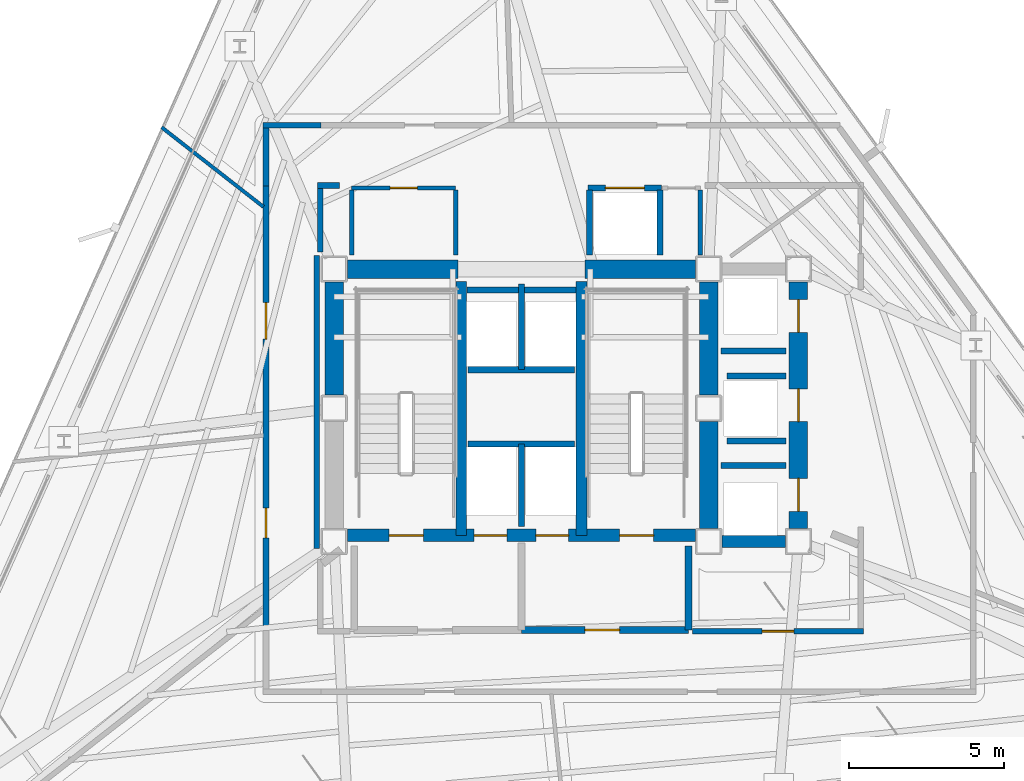
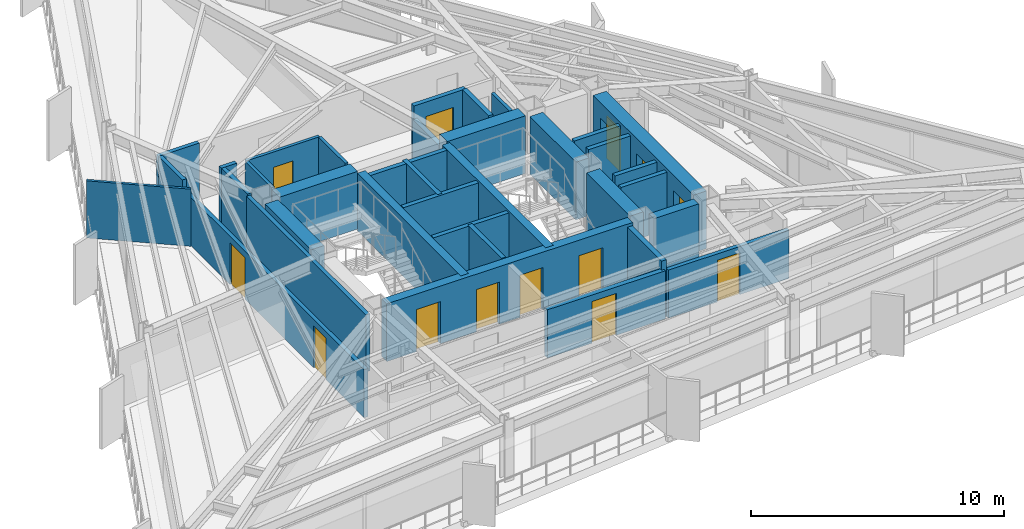
# One storey, part 8 of 12: 36 walls, 13 doors, 13 openings.
"""IFC4 building model written with IfcOpenShell, lengths in metres."""

import ifcopenshell
import ifcopenshell.guid

model = None  # the IFC model being written
_history = None  # IfcOwnerHistory: only IFC2X3 demands one
_inside = {}  # id of a spatial element -> (the spatial element, [elements in it])
_under = {}  # id of a project, library or spatial element -> (it, [spatial elements below it])
_declared = {}  # id of a project -> (the project, [libraries it declares])
_typed = {}  # id of a type object -> (the type object, [elements of that type])
_made_of = {}  # id of a material, layer set ... -> (it, [elements and type objects made of it])


def new_model(schema):
    """Start an empty IFC model of exactly this schema.

    Asked for "IFC4X3", IfcOpenShell would pick the latest addendum, in which some entities
    have other attributes; the version numbers below select the first issue.
    IFC2X3 requires an IfcOwnerHistory on every rooted entity: one is made here for all.
    """
    global model, _history
    if schema == "IFC4X3":
        model = ifcopenshell.file(schema_version=(4, 3, 0, 0))
    else:
        model = ifcopenshell.file(schema=schema)
    _inside.clear()
    _under.clear()
    _declared.clear()
    _typed.clear()
    _made_of.clear()
    _history = None
    if model.schema == "IFC2X3":
        org = make("IfcOrganization", Name="unknown")
        user = make(
            "IfcPersonAndOrganization",
            ThePerson=make("IfcPerson", FamilyName="unknown"),
            TheOrganization=org,
        )
        app = make(
            "IfcApplication",
            ApplicationDeveloper=org,
            Version="unknown",
            ApplicationFullName="unknown",
            ApplicationIdentifier="unknown",
        )
        _history = make(
            "IfcOwnerHistory",
            OwningUser=user,
            OwningApplication=app,
            ChangeAction="ADDED",
            CreationDate=0,
        )
    return model


def make(cls, **values):
    """One entity of the class cls with the attributes given. An attribute that is None is left unset."""
    return model.create_entity(
        cls, **{name: value for name, value in values.items() if value is not None}
    )


def rooted(cls, **values):
    """An entity with a GlobalId (a new one), such as an element, a storey or a relation."""
    return make(cls, GlobalId=ifcopenshell.guid.new(), OwnerHistory=_history, **values)


def si_unit(unit_type, name, prefix=None):
    """IfcSIUnit, for example si_unit("LENGTHUNIT", "METRE", prefix="MILLI")."""
    return make("IfcSIUnit", UnitType=unit_type, Prefix=prefix, Name=name)


def assignment(units):
    """IfcUnitAssignment: the units of a project."""
    return None if units is None else make("IfcUnitAssignment", Units=units)


def point(xyz):
    """IfcCartesianPoint."""
    return None if xyz is None else make("IfcCartesianPoint", Coordinates=xyz)


def direction(xyz):
    """IfcDirection."""
    return None if xyz is None else make("IfcDirection", DirectionRatios=xyz)


def frame(location, z_axis=None, x_axis=None):
    """IfcAxis2Placement3D, a coordinate frame: its origin and axes. An axis left out is left unset."""
    return make(
        "IfcAxis2Placement3D",
        Location=point(location),
        Axis=direction(z_axis),
        RefDirection=direction(x_axis),
    )


def frame_2d(location, x_axis=None):
    """IfcAxis2Placement2D, a coordinate frame in the plane: its origin and x axis."""
    return make(
        "IfcAxis2Placement2D", Location=point(location), RefDirection=direction(x_axis)
    )


def origin():
    """The frame at (0, 0, 0) with its axes left unset."""
    return frame((0.0, 0.0, 0.0))


def place(relative_to, where):
    """IfcLocalPlacement: puts the frame where relative to a parent placement (None: the world)."""
    return make(
        "IfcLocalPlacement", PlacementRelTo=relative_to, RelativePlacement=where
    )


def context(
    kind, dimensions, precision=None, world=None, true_north=None, identifier=None
):
    """IfcGeometricRepresentationContext, for example the 3D "Model" context."""
    return make(
        "IfcGeometricRepresentationContext",
        ContextIdentifier=identifier,
        ContextType=kind,
        CoordinateSpaceDimension=dimensions,
        Precision=precision,
        WorldCoordinateSystem=world,
        TrueNorth=true_north,
    )


def subcontext(parent, identifier, kind, view, scale=None):
    """IfcGeometricRepresentationSubContext, for example "Body" below "Model"."""
    return make(
        "IfcGeometricRepresentationSubContext",
        ContextIdentifier=identifier,
        ContextType=kind,
        ParentContext=parent,
        TargetScale=scale,
        TargetView=view,
    )


def project(units=None, contexts=None):
    """IfcProject with its units and contexts."""
    return rooted(
        "IfcProject",
        Name="project",
        RepresentationContexts=contexts,
        UnitsInContext=assignment(units),
    )


def spatial(cls, under=None, at=None, **own):
    """A site, building, storey or space (cls), placed at a placement, below another one or the project."""
    s = rooted(cls, ObjectPlacement=at, **own)
    if under is not None:
        _under.setdefault(under.id(), (under, []))[1].append(s)
    return s


def profile(cls, at=None, kind="AREA", **sizes):
    """A parametric profile (cls). Its sizes go by their IFC names, for example OverallWidth=200.0."""
    return make(cls, ProfileType=kind, Position=at, **sizes)


def rectangle(**sizes):
    """IfcRectangleProfileDef."""
    return profile("IfcRectangleProfileDef", **sizes)


def extrude(swept, where, along, depth):
    """IfcExtrudedAreaSolid: the profile swept, set in the frame where, extruded along a direction by depth."""
    return make(
        "IfcExtrudedAreaSolid",
        SweptArea=swept,
        Position=where,
        ExtrudedDirection=direction(along),
        Depth=depth,
    )


def shape(context_of_items, identifier, shape_type, items):
    """IfcShapeRepresentation: the items that make up one representation, for example the "Body"."""
    return make(
        "IfcShapeRepresentation",
        ContextOfItems=context_of_items,
        RepresentationIdentifier=identifier,
        RepresentationType=shape_type,
        Items=items,
    )


def material(Name=None, Category=None):
    """IfcMaterial."""
    return make("IfcMaterial", Name=Name, Category=Category)


def layer(
    of_material, thickness, ventilated=None, Name=None, Category=None, Priority=None
):
    """IfcMaterialLayer: one layer of a wall or slab, of a material (None: an air gap)."""
    return make(
        "IfcMaterialLayer",
        Material=of_material,
        LayerThickness=thickness,
        IsVentilated=ventilated,
        Name=Name,
        Category=Category,
        Priority=Priority,
    )


def layer_set(layers, Name=None):
    """IfcMaterialLayerSet."""
    return make("IfcMaterialLayerSet", MaterialLayers=layers, LayerSetName=Name)


def made_of(thing, what):
    """Note that an element or type object is made of a material, layer set ...; save() writes the relation."""
    if what is not None:
        _made_of.setdefault(what.id(), (what, []))[1].append(thing)
    return thing


def type_object(cls, material=None, **own):
    """A type object (cls), such as IfcWallType, which elements share."""
    return made_of(rooted(cls, **own), material)


def element(
    cls,
    number,
    at=None,
    inside=None,
    cuts=None,
    type_object=None,
    material=None,
    context=None,
    identifier="Body",
    shape_type=None,
    held_by="IfcProductDefinitionShape",
    body=None,
    shapes=None,
    **own,
):
    """One element of the class cls, such as IfcWall. Its Tag is "e" and its number.

    at: its placement. inside: the storey or other place that contains it. cuts: it is an
    opening in that element (IfcRelVoidsElement). A single representation is given by context,
    identifier, shape_type and body (its items); several are given by shapes. held_by: the class
    of the entity that holds the representations. save() writes the other relations.
    """
    e = rooted(cls, Tag="e%d" % number, ObjectPlacement=at, **own)
    if body is not None:
        shapes = [shape(context, identifier, shape_type, body)]
    if shapes is not None:
        e.Representation = make(held_by, Representations=shapes)
    if inside is not None:
        _inside.setdefault(inside.id(), (inside, []))[1].append(e)
    if cuts is not None:
        rooted(
            "IfcRelVoidsElement", RelatingBuildingElement=cuts, RelatedOpeningElement=e
        )
    if type_object is not None:
        _typed.setdefault(type_object.id(), (type_object, []))[1].append(e)
    return made_of(e, material)


def fill(opening, filler):
    """IfcRelFillsElement: the door or window that sits in an opening."""
    return rooted(
        "IfcRelFillsElement",
        RelatingOpeningElement=opening,
        RelatedBuildingElement=filler,
    )


def aggregate(whole, parts):
    """IfcRelAggregates: a whole, such as a stair, and the parts it consists of."""
    return rooted("IfcRelAggregates", RelatingObject=whole, RelatedObjects=parts)


def save(model, path):
    """Write the relations noted so far, then the file.

    IfcRelAggregates (storeys below a building ...), IfcRelContainedInSpatialStructure (elements
    in a storey), IfcRelDefinesByType, IfcRelAssociatesMaterial and IfcRelDeclares: one each for
    every whole, place, type object, material and project.
    """
    for whole, parts in _under.values():
        aggregate(whole, parts)
    for where, things in _inside.values():
        rooted(
            "IfcRelContainedInSpatialStructure",
            RelatedElements=things,
            RelatingStructure=where,
        )
    for kind, things in _typed.values():
        rooted("IfcRelDefinesByType", RelatedObjects=things, RelatingType=kind)
    for what, things in _made_of.values():
        rooted("IfcRelAssociatesMaterial", RelatedObjects=things, RelatingMaterial=what)
    for by, libraries in _declared.values():
        rooted("IfcRelDeclares", RelatingContext=by, RelatedDefinitions=libraries)
    model.write(path)


model = new_model("IFC4")

# Units and contexts
model_context = context("Model", 3, precision=1e-05, world=origin(), true_north=direction((0.0, 1.0)))
body_context = subcontext(model_context, "Body", "Model", "MODEL_VIEW")
ifc_project = project(units=[si_unit("LENGTHUNIT", "METRE"), si_unit("AREAUNIT", "SQUARE_METRE"), si_unit("VOLUMEUNIT", "CUBIC_METRE"), si_unit("PLANEANGLEUNIT", "RADIAN"), si_unit("MASSUNIT", "GRAM", prefix="KILO")], contexts=[model_context])

# Site, building, storey
site_placement = place(None, origin())
site = spatial("IfcSite", under=ifc_project, at=site_placement, CompositionType="ELEMENT")
building_placement = place(site_placement, origin())
building = spatial("IfcBuilding", under=site, at=building_placement, Name="Rocaltana Carrier Exchange", CompositionType="ELEMENT")
storey_placement = place(building_placement, frame((0.0, 0.0, 104.639892578125)))
storey = spatial("IfcBuildingStorey", under=building, at=storey_placement, Name="L32", CompositionType="ELEMENT", Elevation=104.639892578125)

# Walls
ifc_material_1 = material(Name="Concrete C50/60", Category="concrete")
ifc_layer_1 = layer(ifc_material_1, 0.35009765625)
ifc_layer_set_1 = layer_set([ifc_layer_1], Name="Concrete C50/60")
wall_type_1 = type_object("IfcWallType", Name="Core Internal Shear Wall 350", PredefinedType="SHEAR", material=ifc_layer_set_1)
for number, where, z_axis, x_axis, name in (
    (1, (-1.93994140625, -4.10009765625, 0.0), (0.0, 0.0, 1.0), (0.0, 1.0, 0.0), "L32 Core Shear Wall CW-STW"),
    (2, (1.93994140625, -4.10009765625, 0.0), (0.0, 0.0, 1.0), (0.0, 1.0, 0.0), "L32 Core Shear Wall CW-STE"),
):
    element("IfcWall", number, at=place(storey_placement, frame(where, z_axis=z_axis, x_axis=x_axis)), inside=storey, type_object=wall_type_1, Name=name, PredefinedType="SHEAR", context=body_context, shape_type="SweptSolid", body=[
        extrude(rectangle(XDim=8.2001953125, YDim=0.35009765625, at=frame_2d((4.10009765625, 0.0))), origin(), (0.0, 0.0, 1.0), 2.7880859375),
    ])

# Wall, openings, doors
ifc_material_2 = material(Name="Concrete C50/60", Category="concrete")
ifc_layer_2 = layer(ifc_material_2, 0.39990234375)
ifc_layer_set_2 = layer_set([ifc_layer_2], Name="Concrete C50/60")
wall_type_2 = type_object("IfcWallType", Name="Core Internal Shear Wall 400", PredefinedType="SHEAR", material=ifc_layer_set_2)
wall_1_placement = place(storey_placement, frame((-5.625, -4.10009765625, 0.0), z_axis=(0.0, 0.0, 1.0), x_axis=(1.0, 0.0, 0.0)))
wall_1 = element("IfcWall", 3, at=wall_1_placement, inside=storey, type_object=wall_type_2, Name="L32 Core Shear Wall CW-S", PredefinedType="SHEAR", context=body_context, shape_type="SweptSolid", body=[
    extrude(rectangle(XDim=11.25, YDim=0.39990234375, at=frame_2d((5.625, 0.0))), origin(), (0.0, 0.0, 1.0), 2.7880859375),
])
opening_1_placement = place(wall_1_placement, frame((1.35498046875, 0.0, 0.0)))
opening_1 = element("IfcOpeningElement", 4, at=opening_1_placement, cuts=wall_1, Name="Opening D-ST110", PredefinedType="OPENING", context=body_context, shape_type="SweptSolid", body=[
    extrude(rectangle(XDim=1.10009765625, YDim=2.0400390625, at=frame_2d((0.550048828125, 1.02001953125))), frame((0.0, 0.2099609375, 0.0), z_axis=(0.0, -1.0, 0.0), x_axis=(1.0, 0.0, 0.0)), (0.0, 0.0, 1.0), 0.419921875),
])
opening_2_placement = place(wall_1_placement, frame((8.794921875, 0.0, 0.0)))
opening_2 = element("IfcOpeningElement", 5, at=opening_2_placement, cuts=wall_1, Name="Opening D-ST110", PredefinedType="OPENING", context=body_context, shape_type="SweptSolid", body=[
    extrude(rectangle(XDim=1.10009765625, YDim=2.0400390625, at=frame_2d((0.550048828125, 1.02001953125))), frame((0.0, 0.2099609375, 0.0), z_axis=(0.0, -1.0, 0.0), x_axis=(1.0, 0.0, 0.0)), (0.0, 0.0, 1.0), 0.419921875),
])
opening_3_placement = place(wall_1_placement, frame((4.094970703125, 0.0, 0.0)))
opening_3 = element("IfcOpeningElement", 6, at=opening_3_placement, cuts=wall_1, Name="Opening LD-110", PredefinedType="OPENING", context=body_context, shape_type="SweptSolid", body=[
    extrude(rectangle(XDim=1.06005859375, YDim=2.0400390625, at=frame_2d((0.530029296875, 1.02001953125))), frame((0.0, 0.2099609375, 0.0), z_axis=(0.0, -1.0, 0.0), x_axis=(1.0, 0.0, 0.0)), (0.0, 0.0, 1.0), 0.419921875),
])
opening_4_placement = place(wall_1_placement, frame((6.094970703125, 0.0, 0.0)))
opening_4 = element("IfcOpeningElement", 7, at=opening_4_placement, cuts=wall_1, Name="Opening LD-110", PredefinedType="OPENING", context=body_context, shape_type="SweptSolid", body=[
    extrude(rectangle(XDim=1.06005859375, YDim=2.0400390625, at=frame_2d((0.530029296875, 1.02001953125))), frame((0.0, 0.2099609375, 0.0), z_axis=(0.0, -1.0, 0.0), x_axis=(1.0, 0.0, 0.0)), (0.0, 0.0, 1.0), 0.419921875),
])
ifc_material_3 = material(Name="Hollow Metal Fire Door Assembly", Category="steel")
door_type_1 = type_object("IfcDoorType", Name="Exit Stair Fire Door 1100x2040 FD90S", OperationType="NOTDEFINED", PredefinedType="DOOR", material=ifc_material_3)
door_1_placement = place(opening_1_placement, origin())
door_1 = element("IfcDoor", 8, at=door_1_placement, inside=storey, type_object=door_type_1, Name="L32 Exit Stair ST1 Fire Door", OperationType="SINGLE_SWING_RIGHT", OverallHeight=2.0400390625, OverallWidth=1.10009765625, PredefinedType="DOOR", context=body_context, shape_type="SweptSolid", body=[
    extrude(rectangle(XDim=1.10009765625, YDim=2.0400390625, at=frame_2d((0.550048828125, 1.02001953125))), frame((0.0, 0.02490234375, 0.0), z_axis=(0.0, -1.0, 0.0), x_axis=(1.0, 0.0, 0.0)), (0.0, 0.0, 1.0), 0.050048828125),
])
fill(opening_1, door_1)
door_2_placement = place(opening_2_placement, origin())
door_2 = element("IfcDoor", 9, at=door_2_placement, inside=storey, type_object=door_type_1, Name="L32 Exit Stair ST2 Fire Door", OperationType="SINGLE_SWING_LEFT", OverallHeight=2.0400390625, OverallWidth=1.10009765625, PredefinedType="DOOR", context=body_context, shape_type="SweptSolid", body=[
    extrude(rectangle(XDim=1.10009765625, YDim=2.0400390625, at=frame_2d((0.550048828125, 1.02001953125))), frame((0.0, 0.02490234375, 0.0), z_axis=(0.0, -1.0, 0.0), x_axis=(1.0, 0.0, 0.0)), (0.0, 0.0, 1.0), 0.050048828125),
])
fill(opening_2, door_2)
ifc_material_4 = material(Name="Brushed Stainless Sliding Door Leaf", Category="steel")
door_type_2 = type_object("IfcDoorType", Name="Lift Landing Sliding Door 1060x2040", OperationType="NOTDEFINED", PredefinedType="DOOR", material=ifc_material_4)
door_3_placement = place(opening_3_placement, origin())
door_3 = element("IfcDoor", 10, at=door_3_placement, inside=storey, type_object=door_type_2, Name="L32 Firefighting Lift FFL1 Landing Door", OperationType="SLIDING_TO_LEFT", OverallHeight=2.0400390625, OverallWidth=1.06005859375, PredefinedType="DOOR", context=body_context, shape_type="SweptSolid", body=[
    extrude(rectangle(XDim=1.06005859375, YDim=2.0400390625, at=frame_2d((0.530029296875, 1.02001953125))), frame((0.0, 0.02490234375, 0.0), z_axis=(0.0, -1.0, 0.0), x_axis=(1.0, 0.0, 0.0)), (0.0, 0.0, 1.0), 0.050048828125),
])
fill(opening_3, door_3)
door_4_placement = place(opening_4_placement, origin())
door_4 = element("IfcDoor", 11, at=door_4_placement, inside=storey, type_object=door_type_2, Name="L32 Firefighting Lift FFL2 Landing Door", OperationType="SLIDING_TO_RIGHT", OverallHeight=2.0400390625, OverallWidth=1.06005859375, PredefinedType="DOOR", context=body_context, shape_type="SweptSolid", body=[
    extrude(rectangle(XDim=1.06005859375, YDim=2.0400390625, at=frame_2d((0.530029296875, 1.02001953125))), frame((0.0, 0.02490234375, 0.0), z_axis=(0.0, -1.0, 0.0), x_axis=(1.0, 0.0, 0.0)), (0.0, 0.0, 1.0), 0.050048828125),
])
fill(opening_4, door_4)

# Walls
wall_2_placement = place(storey_placement, frame((6.47509765625, -4.300048828125, 0.0), z_axis=(0.0, 0.0, 1.0), x_axis=(1.0, 0.0, 0.0)))
element("IfcWall", 12, at=wall_2_placement, inside=storey, type_object=wall_type_2, Name="L32 Core Shear Wall CW-EWS", PredefinedType="SHEAR", context=body_context, shape_type="SweptSolid", body=[
    extrude(rectangle(XDim=2.0498046875, YDim=0.39990234375, at=frame_2d((1.02490234375, 0.0))), origin(), (0.0, 0.0, 1.0), 2.7880859375),
])
ifc_material_5 = material(Name="Concrete C50/60", Category="concrete")
ifc_layer_3 = layer(ifc_material_5, 0.60009765625)
ifc_layer_set_3 = layer_set([ifc_layer_3], Name="Concrete C50/60")
wall_type_3 = type_object("IfcWallType", Name="Core Shear Wall 600", PredefinedType="SHEAR", material=ifc_layer_set_3)
for number, where, z_axis, x_axis, name in (
    (13, (-6.050048828125, 0.425048828125, 0.0), (0.0, 0.0, 1.0), (0.0, 1.0, 0.0), "L32 Core Shear Wall CW-WN"),
    (14, (6.050048828125, 0.425048828125, 0.0), (0.0, 0.0, 1.0), (0.0, 1.0, 0.0), "L32 Core Shear Wall CW-EN"),
):
    element("IfcWall", number, at=place(storey_placement, frame(where, z_axis=z_axis, x_axis=x_axis)), inside=storey, type_object=wall_type_3, Name=name, PredefinedType="SHEAR", context=body_context, shape_type="SweptSolid", body=[
        extrude(rectangle(XDim=3.64990234375, YDim=0.60009765625, at=frame_2d((1.824951171875, 0.0))), origin(), (0.0, 0.0, 1.0), 2.7880859375),
    ])
wall_3_placement = place(storey_placement, frame((6.050048828125, -3.875, 0.0), z_axis=(0.0, 0.0, 1.0), x_axis=(0.0, 1.0, 0.0)))
element("IfcWall", 15, at=wall_3_placement, inside=storey, type_object=wall_type_3, Name="L32 Core Shear Wall CW-ES", PredefinedType="SHEAR", context=body_context, shape_type="SweptSolid", body=[
    extrude(rectangle(XDim=3.449951171875, YDim=0.60009765625, at=frame_2d((1.72509765625, 0.0))), origin(), (0.0, 0.0, 1.0), 2.7880859375),
])
for number, where, z_axis, x_axis, name in (
    (16, (-5.625, 4.5, 0.0), (0.0, 0.0, 1.0), (1.0, 0.0, 0.0), "L32 Core Shear Wall CW-N1"),
    (17, (2.050048828125, 4.5, 0.0), (0.0, 0.0, 1.0), (1.0, 0.0, 0.0), "L32 Core Shear Wall CW-N2"),
):
    element("IfcWall", number, at=place(storey_placement, frame(where, z_axis=z_axis, x_axis=x_axis)), inside=storey, type_object=wall_type_3, Name=name, PredefinedType="SHEAR", context=body_context, shape_type="SweptSolid", body=[
        extrude(rectangle(XDim=3.574951171875, YDim=0.60009765625, at=frame_2d((1.78759765625, 0.0))), origin(), (0.0, 0.0, 1.0), 2.7880859375),
    ])

# Wall, openings, doors
wall_4_placement = place(storey_placement, frame((8.949951171875, -3.875, 0.0), z_axis=(0.0, 0.0, 1.0), x_axis=(0.0, 1.0, 0.0)))
wall_4 = element("IfcWall", 18, at=wall_4_placement, inside=storey, type_object=wall_type_3, Name="L32 Core Shear Wall CW-EW", PredefinedType="SHEAR", context=body_context, shape_type="SweptSolid", body=[
    extrude(rectangle(XDim=7.949951171875, YDim=0.60009765625, at=frame_2d((3.97509765625, 0.0))), origin(), (0.0, 0.0, 1.0), 2.7880859375),
])
opening_5_placement = place(wall_4_placement, frame((0.550048828125, 0.0, 0.0)))
opening_5 = element("IfcOpeningElement", 19, at=opening_5_placement, cuts=wall_4, Name="Opening LD-110", PredefinedType="OPENING", context=body_context, shape_type="SweptSolid", body=[
    extrude(rectangle(XDim=1.06005859375, YDim=2.0400390625, at=frame_2d((0.530029296875, 1.02001953125))), frame((0.0, 0.31005859375, 0.0), z_axis=(0.0, -1.0, 0.0), x_axis=(1.0, 0.0, 0.0)), (0.0, 0.0, 1.0), 0.6201171875),
])
opening_6_placement = place(wall_4_placement, frame((3.445068359375, 0.0, 0.0)))
opening_6 = element("IfcOpeningElement", 20, at=opening_6_placement, cuts=wall_4, Name="Opening LD-110", PredefinedType="OPENING", context=body_context, shape_type="SweptSolid", body=[
    extrude(rectangle(XDim=1.06005859375, YDim=2.0400390625, at=frame_2d((0.530029296875, 1.02001953125))), frame((0.0, 0.31005859375, 0.0), z_axis=(0.0, -1.0, 0.0), x_axis=(1.0, 0.0, 0.0)), (0.0, 0.0, 1.0), 0.6201171875),
])
opening_7_placement = place(wall_4_placement, frame((6.330078125, 0.0, 0.0)))
opening_7 = element("IfcOpeningElement", 21, at=opening_7_placement, cuts=wall_4, Name="Opening LD-110", PredefinedType="OPENING", context=body_context, shape_type="SweptSolid", body=[
    extrude(rectangle(XDim=1.06005859375, YDim=2.0400390625, at=frame_2d((0.530029296875, 1.02001953125))), frame((0.0, 0.31005859375, 0.0), z_axis=(0.0, -1.0, 0.0), x_axis=(1.0, 0.0, 0.0)), (0.0, 0.0, 1.0), 0.6201171875),
])
door_5_placement = place(opening_5_placement, origin())
door_5 = element("IfcDoor", 22, at=door_5_placement, inside=storey, type_object=door_type_2, Name="L32 Mid-Rise Lift PL-M1 Landing Door", OperationType="SLIDING_TO_LEFT", OverallHeight=2.0400390625, OverallWidth=1.06005859375, PredefinedType="DOOR", context=body_context, shape_type="SweptSolid", body=[
    extrude(rectangle(XDim=1.06005859375, YDim=2.0400390625, at=frame_2d((0.530029296875, 1.02001953125))), frame((0.0, 0.02490234375, 0.0), z_axis=(0.0, -1.0, 0.0), x_axis=(1.0, 0.0, 0.0)), (0.0, 0.0, 1.0), 0.050048828125),
])
fill(opening_5, door_5)
door_6_placement = place(opening_6_placement, origin())
door_6 = element("IfcDoor", 23, at=door_6_placement, inside=storey, type_object=door_type_2, Name="L32 Mid-Rise Lift PL-M2 Landing Door", OperationType="SLIDING_TO_RIGHT", OverallHeight=2.0400390625, OverallWidth=1.06005859375, PredefinedType="DOOR", context=body_context, shape_type="SweptSolid", body=[
    extrude(rectangle(XDim=1.06005859375, YDim=2.0400390625, at=frame_2d((0.530029296875, 1.02001953125))), frame((0.0, 0.02490234375, 0.0), z_axis=(0.0, -1.0, 0.0), x_axis=(1.0, 0.0, 0.0)), (0.0, 0.0, 1.0), 0.050048828125),
])
fill(opening_6, door_6)
door_7_placement = place(opening_7_placement, origin())
door_7 = element("IfcDoor", 24, at=door_7_placement, inside=storey, type_object=door_type_2, Name="L32 Mid-Rise Lift PL-M3 Landing Door", OperationType="SLIDING_TO_LEFT", OverallHeight=2.0400390625, OverallWidth=1.06005859375, PredefinedType="DOOR", context=body_context, shape_type="SweptSolid", body=[
    extrude(rectangle(XDim=1.06005859375, YDim=2.0400390625, at=frame_2d((0.530029296875, 1.02001953125))), frame((0.0, 0.02490234375, 0.0), z_axis=(0.0, -1.0, 0.0), x_axis=(1.0, 0.0, 0.0)), (0.0, 0.0, 1.0), 0.050048828125),
])
fill(opening_7, door_7)

ifc_material_6 = material(Name="Gypsum & Steel Stud Partition", Category="steel")
ifc_layer_4 = layer(ifc_material_6, 0.179931640625)
ifc_layer_set_4 = layer_set([ifc_layer_4], Name="Gypsum & Steel Stud Partition")
wall_type_4 = type_object("IfcWallType", Name="Corridor Fire Partition 180 EI60", PredefinedType="PARTITIONING", material=ifc_layer_set_4)
wall_5_placement = place(storey_placement, frame((-8.25, -7.219970703125, 0.0), z_axis=(0.0, 0.0, 1.0), x_axis=(0.0, 1.0, 0.0)))
wall_5 = element("IfcWall", 25, at=wall_5_placement, inside=storey, type_object=wall_type_4, Name="L32 Corridor Partition 3", PredefinedType="PARTITIONING", context=body_context, shape_type="SweptSolid", body=[
    extrude(rectangle(XDim=14.43994140625, YDim=0.179931640625, at=frame_2d((7.219970703125, 0.0))), origin(), (0.0, 0.0, 1.0), 2.330078125),
])
opening_8_placement = place(wall_5_placement, frame((3.0380859375, 0.0, 0.0)))
opening_8 = element("IfcOpeningElement", 26, at=opening_8_placement, cuts=wall_5, Name="Opening D-RM098", PredefinedType="OPENING", context=body_context, shape_type="SweptSolid", body=[
    extrude(rectangle(XDim=0.9599609375, YDim=2.02001953125, at=frame_2d((0.47998046875, 1.010009765625))), frame((0.0, 0.099853515625, 0.0), z_axis=(0.0, -1.0, 0.0), x_axis=(1.0, 0.0, 0.0)), (0.0, 0.0, 1.0), 0.199951171875),
])
opening_9_placement = place(wall_5_placement, frame((9.456298828125, 0.0, 0.0)))
opening_9 = element("IfcOpeningElement", 27, at=opening_9_placement, cuts=wall_5, Name="Opening D-SU120", PredefinedType="OPENING", context=body_context, shape_type="SweptSolid", body=[
    extrude(rectangle(XDim=1.179931640625, YDim=2.02001953125, at=frame_2d((0.58984375, 1.010009765625))), frame((0.0, 0.099853515625, 0.0), z_axis=(0.0, -1.0, 0.0), x_axis=(1.0, 0.0, 0.0)), (0.0, 0.0, 1.0), 0.199951171875),
])
ifc_material_7 = material(Name="Engineered Hardwood Timber", Category="wood")
door_type_3 = type_object("IfcDoorType", Name="Suite Double Entrance Door 1180x2020", OperationType="NOTDEFINED", PredefinedType="DOOR", material=ifc_material_7)
door_8_placement = place(opening_9_placement, origin())
door_8 = element("IfcDoor", 28, at=door_8_placement, inside=storey, type_object=door_type_3, Name="L32 Carrier Peering Suite Entrance Door", OperationType="SINGLE_SWING_RIGHT", OverallHeight=2.02001953125, OverallWidth=1.179931640625, PredefinedType="DOOR", context=body_context, shape_type="SweptSolid", body=[
    extrude(rectangle(XDim=1.179931640625, YDim=2.02001953125, at=frame_2d((0.58984375, 1.010009765625))), frame((0.0, 0.02490234375, 0.0), z_axis=(0.0, -1.0, 0.0), x_axis=(1.0, 0.0, 0.0)), (0.0, 0.0, 1.0), 0.050048828125),
])
fill(opening_9, door_8)
ifc_material_8 = material(Name="Engineered Hardwood Timber", Category="wood")
door_type_4 = type_object("IfcDoorType", Name="Workspace Single Door 960x2020", OperationType="NOTDEFINED", PredefinedType="DOOR", material=ifc_material_8)
door_9_placement = place(opening_8_placement, origin())
door_9 = element("IfcDoor", 29, at=door_9_placement, inside=storey, type_object=door_type_4, Name="L32 Cloud Architecture Office Entrance Door", OperationType="SINGLE_SWING_RIGHT", OverallHeight=2.02001953125, OverallWidth=0.9599609375, PredefinedType="DOOR", context=body_context, shape_type="SweptSolid", body=[
    extrude(rectangle(XDim=0.9599609375, YDim=2.02001953125, at=frame_2d((0.47998046875, 1.010009765625))), frame((0.0, 0.02490234375, 0.0), z_axis=(0.0, -1.0, 0.0), x_axis=(1.0, 0.0, 0.0)), (0.0, 0.0, 1.0), 0.050048828125),
])
fill(opening_8, door_9)

# Walls
wall_6_placement = place(storey_placement, frame((-8.25, 7.179931640625, 0.0), z_axis=(0.0, 0.0, 1.0), x_axis=(0.0, 1.0, 0.0)))
element("IfcWall", 30, at=wall_6_placement, inside=storey, type_object=wall_type_4, Name="L32 Corridor Partition 4", PredefinedType="PARTITIONING", context=body_context, shape_type="SweptSolid", body=[
    extrude(rectangle(XDim=1.880126953125, YDim=0.179931640625, at=frame_2d((0.93994140625, 0.0))), origin(), (0.0, 0.0, 1.0), 2.76318359375),
])
wall_7_placement = place(storey_placement, frame((-8.340087890625, 9.14990234375, 0.0), z_axis=(0.0, 0.0, 1.0), x_axis=(1.0, 0.0, 0.0)))
element("IfcWall", 31, at=wall_7_placement, inside=storey, type_object=wall_type_4, Name="L32 Corridor Partition 5", PredefinedType="PARTITIONING", context=body_context, shape_type="SweptSolid", body=[
    extrude(rectangle(XDim=1.860107421875, YDim=0.179931640625, at=frame_2d((0.93017578125, 0.0))), origin(), (0.0, 0.0, 1.0), 2.76318359375),
])

# Wall, opening, door
wall_8_placement = place(storey_placement, frame((5.530029296875, -7.199951171875, 0.0), z_axis=(0.0, 0.0, 1.0), x_axis=(1.0, 0.0, 0.0)))
wall_8 = element("IfcWall", 32, at=wall_8_placement, inside=storey, type_object=wall_type_4, Name="L32 Corridor Partition 12", PredefinedType="PARTITIONING", context=body_context, shape_type="SweptSolid", body=[
    extrude(rectangle(XDim=5.52001953125, YDim=0.179931640625, at=frame_2d((2.760009765625, 0.0))), origin(), (0.0, 0.0, 1.0), 2.330078125),
])
opening_10_placement = place(wall_8_placement, frame((2.25, 0.0, 0.0)))
opening_10 = element("IfcOpeningElement", 33, at=opening_10_placement, cuts=wall_8, Name="Opening D-LB104", PredefinedType="OPENING", context=body_context, shape_type="SweptSolid", body=[
    extrude(rectangle(XDim=1.02001953125, YDim=2.02001953125, at=frame_2d((0.510009765625, 1.010009765625))), frame((0.0, 0.099853515625, 0.0), z_axis=(0.0, -1.0, 0.0), x_axis=(1.0, 0.0, 0.0)), (0.0, 0.0, 1.0), 0.199951171875),
])
ifc_material_9 = material(Name="Powder-Coated Aluminium 6063-T6", Category="aluminium")
door_type_5 = type_object("IfcDoorType", Name="Laboratory Acoustic Door 1020x2020", OperationType="NOTDEFINED", PredefinedType="DOOR", material=ifc_material_9)
door_10_placement = place(opening_10_placement, origin())
door_10 = element("IfcDoor", 34, at=door_10_placement, inside=storey, type_object=door_type_5, Name="L32 Optical Switching Laboratory Entrance Door", OperationType="SINGLE_SWING_LEFT", OverallHeight=2.02001953125, OverallWidth=1.02001953125, PredefinedType="DOOR", context=body_context, shape_type="SweptSolid", body=[
    extrude(rectangle(XDim=1.02001953125, YDim=2.02001953125, at=frame_2d((0.510009765625, 1.010009765625))), frame((0.0, 0.02490234375, 0.0), z_axis=(0.0, -1.0, 0.0), x_axis=(1.0, 0.0, 0.0)), (0.0, 0.0, 1.0), 0.050048828125),
])
fill(opening_10, door_10)

# Walls
wall_9_placement = place(storey_placement, frame((-5.8798828125, 7.199951171875, 0.0), z_axis=(0.0, 0.0, 1.0), x_axis=(-1.0, 0.0, 0.0)))
element("IfcWall", 35, at=wall_9_placement, inside=storey, type_object=wall_type_4, Name="L32 Corridor Partition 16", PredefinedType="PARTITIONING", context=body_context, shape_type="SweptSolid", body=[
    extrude(rectangle(XDim=0.710205078125, YDim=0.179931640625, at=frame_2d((0.35498046875, 0.0))), origin(), (0.0, 0.0, 1.0), 2.76318359375),
])
wall_10_placement = place(storey_placement, frame((-6.5, 7.110107421875, 0.0), z_axis=(0.0, 0.0, 1.0), x_axis=(0.0, -1.0, 0.0)))
element("IfcWall", 36, at=wall_10_placement, inside=storey, type_object=wall_type_4, Name="L32 Corridor Partition 17", PredefinedType="PARTITIONING", context=body_context, shape_type="SweptSolid", body=[
    extrude(rectangle(XDim=2.058349609375, YDim=0.179931640625, at=frame_2d((1.029296875, 0.0))), origin(), (0.0, 0.0, 1.0), 2.76318359375),
])
wall_11_placement = place(storey_placement, frame((-6.610107421875, 4.93994140625, 0.0), z_axis=(0.0, 0.0, 1.0), x_axis=(0.0, -1.0, 0.0)))
element("IfcWall", 37, at=wall_11_placement, inside=storey, type_object=wall_type_4, Name="L32 Corridor Partition 18", PredefinedType="PARTITIONING", context=body_context, shape_type="SweptSolid", body=[
    extrude(rectangle(XDim=9.4599609375, YDim=0.179931640625, at=frame_2d((4.72998046875, 0.0))), origin(), (0.0, 0.0, 1.0), 2.76318359375),
])
ifc_material_10 = material(Name="Aluminium 6063-T6 & Acoustic Glass", Category="aluminium")
ifc_layer_5 = layer(ifc_material_10, 0.114990234375)
ifc_layer_set_5 = layer_set([ifc_layer_5], Name="Aluminium 6063-T6 & Acoustic Glass")
wall_type_5 = type_object("IfcWallType", Name="Demountable Glazed Lab Partition 115", PredefinedType="MOVABLE", material=ifc_layer_set_5)
wall_12_placement = place(storey_placement, frame((-8.330078125, 6.508056640625, 0.0), z_axis=(0.0, 0.0, 1.0), x_axis=(-0.787993347372, 0.615683753641, 0.0)))
element("IfcWall", 38, at=wall_12_placement, inside=storey, type_object=wall_type_5, Name="L32 Suite Divider Wall D10", PredefinedType="MOVABLE", context=body_context, shape_type="SweptSolid", body=[
    extrude(rectangle(XDim=4.175537109375, YDim=0.114990234375, at=frame_2d((2.087890625, 0.0))), origin(), (0.0, 0.0, 1.0), 2.76318359375),
])
ifc_material_11 = material(Name="Autoclaved Aerated Concrete C30/37", Category="concrete")
ifc_layer_6 = layer(ifc_material_11, 0.219970703125)
ifc_layer_set_6 = layer_set([ifc_layer_6], Name="Autoclaved Aerated Concrete C30/37")
wall_type_6 = type_object("IfcWallType", Name="Firefighting Lobby Wall 220 EI120", PredefinedType="PARTITIONING", material=ifc_layer_set_6)
wall_13_placement = place(storey_placement, frame((5.39990234375, -7.159912109375, 0.0), z_axis=(0.0, 0.0, 1.0), x_axis=(0.0, 1.0, 0.0)))
element("IfcWall", 39, at=wall_13_placement, inside=storey, type_object=wall_type_6, Name="L32 FFL Lobby 2 East Wall", PredefinedType="PARTITIONING", context=body_context, shape_type="SweptSolid", body=[
    extrude(rectangle(XDim=2.7099609375, YDim=0.219970703125, at=frame_2d((1.35498046875, 0.0))), origin(), (0.0, 0.0, 1.0), 2.76318359375),
])

# Wall, opening, door
wall_14_placement = place(storey_placement, frame((0.0, -7.159912109375, 0.0), z_axis=(0.0, 0.0, 1.0), x_axis=(1.0, 0.0, 0.0)))
wall_14 = element("IfcWall", 40, at=wall_14_placement, inside=storey, type_object=wall_type_6, Name="L32 FFL Lobby 2 South Wall", PredefinedType="PARTITIONING", context=body_context, shape_type="SweptSolid", body=[
    extrude(rectangle(XDim=5.39990234375, YDim=0.219970703125, at=frame_2d((2.699951171875, 0.0))), origin(), (0.0, 0.0, 1.0), 2.330078125),
])
opening_11_placement = place(wall_14_placement, frame((2.050048828125, 0.0, 0.0)))
opening_11 = element("IfcOpeningElement", 41, at=opening_11_placement, cuts=wall_14, Name="Opening D-FF115", PredefinedType="OPENING", context=body_context, shape_type="SweptSolid", body=[
    extrude(rectangle(XDim=1.1201171875, YDim=2.02001953125, at=frame_2d((0.56005859375, 1.010009765625))), frame((0.0, 0.119873046875, 0.0), z_axis=(0.0, -1.0, 0.0), x_axis=(1.0, 0.0, 0.0)), (0.0, 0.0, 1.0), 0.239990234375),
])
ifc_material_12 = material(Name="Hollow Metal Fire Door Assembly", Category="steel")
door_type_6 = type_object("IfcDoorType", Name="Firefighting Lobby Door 1120x2020 FD60S", OperationType="NOTDEFINED", PredefinedType="DOOR", material=ifc_material_12)
door_11_placement = place(opening_11_placement, origin())
door_11 = element("IfcDoor", 42, at=door_11_placement, inside=storey, type_object=door_type_6, Name="L32 Firefighting Lift Lobby 2 Door", OperationType="SINGLE_SWING_LEFT", OverallHeight=2.02001953125, OverallWidth=1.1201171875, PredefinedType="DOOR", context=body_context, shape_type="SweptSolid", body=[
    extrude(rectangle(XDim=1.1201171875, YDim=2.02001953125, at=frame_2d((0.56005859375, 1.010009765625))), frame((0.0, 0.02490234375, 0.0), z_axis=(0.0, -1.0, 0.0), x_axis=(1.0, 0.0, 0.0)), (0.0, 0.0, 1.0), 0.050048828125),
])
fill(opening_11, door_11)

# Walls
ifc_material_13 = material(Name="Reinforced Concrete Block C35/45", Category="concrete")
ifc_layer_7 = layer(ifc_material_13, 0.199951171875)
ifc_layer_set_7 = layer_set([ifc_layer_7], Name="Reinforced Concrete Block C35/45")
wall_type_7 = type_object("IfcWallType", Name="Lift Hoistway Enclosure Wall 200 EI120", PredefinedType="PARTITIONING", material=ifc_layer_set_7)
wall_15_placement = place(storey_placement, frame((0.0, -3.820068359375, 0.0), z_axis=(0.0, 0.0, 1.0), x_axis=(0.0, 1.0, 0.0)))
element("IfcWall", 43, at=wall_15_placement, inside=storey, type_object=wall_type_7, Name="L32 FFL Shaft Divider", PredefinedType="PARTITIONING", context=body_context, shape_type="SweptSolid", body=[
    extrude(rectangle(XDim=2.670166015625, YDim=0.199951171875, at=frame_2d((1.3349609375, 0.0))), origin(), (0.0, 0.0, 1.0), 2.76318359375),
])
wall_16_placement = place(storey_placement, frame((-1.719970703125, -1.14990234375, 0.0), z_axis=(0.0, 0.0, 1.0), x_axis=(1.0, 0.0, 0.0)))
element("IfcWall", 44, at=wall_16_placement, inside=storey, type_object=wall_type_7, Name="L32 FFL Shaft Back Wall", PredefinedType="PARTITIONING", context=body_context, shape_type="SweptSolid", body=[
    extrude(rectangle(XDim=3.43994140625, YDim=0.199951171875, at=frame_2d((1.719970703125, 0.0))), origin(), (0.0, 0.0, 1.0), 2.76318359375),
])
wall_17_placement = place(storey_placement, frame((0.0, 1.25, 0.0), z_axis=(0.0, 0.0, 1.0), x_axis=(0.0, 1.0, 0.0)))
element("IfcWall", 45, at=wall_17_placement, inside=storey, type_object=wall_type_7, Name="L32 High-Rise Shaft Divider", PredefinedType="PARTITIONING", context=body_context, shape_type="SweptSolid", body=[
    extrude(rectangle(XDim=2.77001953125, YDim=0.199951171875, at=frame_2d((1.385009765625, 0.0))), origin(), (0.0, 0.0, 1.0), 2.76318359375),
])
wall_18_placement = place(storey_placement, frame((-1.719970703125, 1.25, 0.0), z_axis=(0.0, 0.0, 1.0), x_axis=(1.0, 0.0, 0.0)))
element("IfcWall", 46, at=wall_18_placement, inside=storey, type_object=wall_type_7, Name="L32 High-Rise Shaft Back Wall", PredefinedType="PARTITIONING", context=body_context, shape_type="SweptSolid", body=[
    extrude(rectangle(XDim=3.43994140625, YDim=0.199951171875, at=frame_2d((1.719970703125, 0.0))), origin(), (0.0, 0.0, 1.0), 2.76318359375),
])
wall_19_placement = place(storey_placement, frame((-1.760009765625, 3.820068359375, 0.0), z_axis=(0.0, 0.0, 1.0), x_axis=(1.0, 0.0, 0.0)))
element("IfcWall", 47, at=wall_19_placement, inside=storey, type_object=wall_type_7, Name="L32 High-Rise Lift Front Wall", PredefinedType="PARTITIONING", context=body_context, shape_type="SweptSolid", body=[
    extrude(rectangle(XDim=3.52001953125, YDim=0.199951171875, at=frame_2d((1.760009765625, 0.0))), origin(), (0.0, 0.0, 1.0), 2.76318359375),
])
wall_20_placement = place(storey_placement, frame((2.199951171875, 4.949951171875, 0.0), z_axis=(0.0, 0.0, 1.0), x_axis=(0.0, 1.0, 0.0)))
element("IfcWall", 48, at=wall_20_placement, inside=storey, type_object=wall_type_7, Name="L32 Goods Lift West Wall", PredefinedType="PARTITIONING", context=body_context, shape_type="SweptSolid", body=[
    extrude(rectangle(XDim=2.10009765625, YDim=0.199951171875, at=frame_2d((1.050048828125, 0.0))), origin(), (0.0, 0.0, 1.0), 2.132080078125),
])
wall_21_placement = place(storey_placement, frame((4.47998046875, 4.949951171875, 0.0), z_axis=(0.0, 0.0, 1.0), x_axis=(0.0, 1.0, 0.0)))
element("IfcWall", 49, at=wall_21_placement, inside=storey, type_object=wall_type_7, Name="L32 Goods Lift East Wall", PredefinedType="PARTITIONING", context=body_context, shape_type="SweptSolid", body=[
    extrude(rectangle(XDim=2.10009765625, YDim=0.199951171875, at=frame_2d((1.050048828125, 0.0))), origin(), (0.0, 0.0, 1.0), 2.76318359375),
])

# Wall, opening, door
wall_22_placement = place(storey_placement, frame((2.14990234375, 7.1201171875, 0.0), z_axis=(0.0, 0.0, 1.0), x_axis=(1.0, 0.0, 0.0)))
wall_22 = element("IfcWall", 50, at=wall_22_placement, inside=storey, type_object=wall_type_7, Name="L32 Goods Lift Front Wall", PredefinedType="PARTITIONING", context=body_context, shape_type="SweptSolid", body=[
    extrude(rectangle(XDim=2.380126953125, YDim=0.199951171875, at=frame_2d((1.18994140625, 0.0))), origin(), (0.0, 0.0, 1.0), 2.76318359375),
])
opening_12_placement = place(wall_22_placement, frame((0.56005859375, 0.0, 0.0)))
opening_12 = element("IfcOpeningElement", 51, at=opening_12_placement, cuts=wall_22, Name="Opening LD-130", PredefinedType="OPENING", context=body_context, shape_type="SweptSolid", body=[
    extrude(rectangle(XDim=1.260009765625, YDim=2.06005859375, at=frame_2d((0.6298828125, 1.030029296875))), frame((0.0, 0.10986328125, 0.0), z_axis=(0.0, -1.0, 0.0), x_axis=(1.0, 0.0, 0.0)), (0.0, 0.0, 1.0), 0.219970703125),
])
ifc_material_14 = material(Name="Brushed Stainless Sliding Door Leaf", Category="steel")
door_type_7 = type_object("IfcDoorType", Name="Goods Lift Landing Sliding Door 1260x2060", OperationType="NOTDEFINED", PredefinedType="DOOR", material=ifc_material_14)
door_12_placement = place(opening_12_placement, origin())
door_12 = element("IfcDoor", 52, at=door_12_placement, inside=storey, type_object=door_type_7, Name="L32 Goods Lift GL-1 Landing Door", OperationType="SLIDING_TO_LEFT", OverallHeight=2.06005859375, OverallWidth=1.260009765625, PredefinedType="DOOR", context=body_context, shape_type="SweptSolid", body=[
    extrude(rectangle(XDim=1.260009765625, YDim=2.06005859375, at=frame_2d((0.6298828125, 1.030029296875))), frame((0.0, 0.02490234375, 0.0), z_axis=(0.0, -1.0, 0.0), x_axis=(1.0, 0.0, 0.0)), (0.0, 0.0, 1.0), 0.050048828125),
])
fill(opening_12, door_12)

# Walls
for number, where, z_axis, x_axis, name in (
    (53, (6.449951171875, -1.85009765625, 0.0), (0.0, 0.0, 1.0), (1.0, 0.0, 0.0), "L32 Mid-Rise Shaft Divider 1"),
    (54, (6.449951171875, 1.85009765625, 0.0), (0.0, 0.0, 1.0), (1.0, 0.0, 0.0), "L32 Mid-Rise Shaft Divider 2"),
):
    element("IfcWall", number, at=place(storey_placement, frame(where, z_axis=z_axis, x_axis=x_axis)), inside=storey, type_object=wall_type_7, Name=name, PredefinedType="PARTITIONING", context=body_context, shape_type="SweptSolid", body=[
        extrude(rectangle(XDim=2.10009765625, YDim=0.199951171875, at=frame_2d((1.050048828125, 0.0))), origin(), (0.0, 0.0, 1.0), 2.76318359375),
    ])
for number, where, z_axis, x_axis, name in (
    (55, (6.639892578125, -1.050048828125, 0.0), (0.0, 0.0, 1.0), (1.0, 0.0, 0.0), "L32 Mid-Rise Center Shaft Wall South"),
    (56, (6.639892578125, 1.050048828125, 0.0), (0.0, 0.0, 1.0), (1.0, 0.0, 0.0), "L32 Mid-Rise Center Shaft Wall North"),
):
    element("IfcWall", number, at=place(storey_placement, frame(where, z_axis=z_axis, x_axis=x_axis)), inside=storey, type_object=wall_type_7, Name=name, PredefinedType="PARTITIONING", context=body_context, shape_type="SweptSolid", body=[
        extrude(rectangle(XDim=1.91015625, YDim=0.199951171875, at=frame_2d((0.955078125, 0.0))), origin(), (0.0, 0.0, 1.0), 2.76318359375),
    ])
ifc_material_15 = material(Name="Moisture-Resistant Masonry C30/37", Category="masonry")
ifc_layer_8 = layer(ifc_material_15, 0.139892578125)
ifc_layer_set_8 = layer_set([ifc_layer_8], Name="Moisture-Resistant Masonry C30/37")
wall_type_8 = type_object("IfcWallType", Name="Wet-Area Sanitary Partition 140", PredefinedType="PARTITIONING", material=ifc_layer_set_8)
for number, where, z_axis, x_axis, name in (
    (57, (-5.47998046875, 4.949951171875, 0.0), (0.0, 0.0, 1.0), (0.0, 1.0, 0.0), "L32 Sanitary West Wall"),
    (58, (-2.1201171875, 4.949951171875, 0.0), (0.0, 0.0, 1.0), (0.0, 1.0, 0.0), "L32 Sanitary East Wall"),
):
    element("IfcWall", number, at=place(storey_placement, frame(where, z_axis=z_axis, x_axis=x_axis)), inside=storey, type_object=wall_type_8, Name=name, PredefinedType="PARTITIONING", context=body_context, shape_type="SweptSolid", body=[
        extrude(rectangle(XDim=2.10009765625, YDim=0.139892578125, at=frame_2d((1.050048828125, 0.0))), origin(), (0.0, 0.0, 1.0), 2.76318359375),
    ])

# Wall, opening, door
wall_23_placement = place(storey_placement, frame((-5.47998046875, 7.1201171875, 0.0), z_axis=(0.0, 0.0, 1.0), x_axis=(1.0, 0.0, 0.0)))
wall_23 = element("IfcWall", 59, at=wall_23_placement, inside=storey, type_object=wall_type_8, Name="L32 Sanitary North Wall", PredefinedType="PARTITIONING", context=body_context, shape_type="SweptSolid", body=[
    extrude(rectangle(XDim=3.35986328125, YDim=0.139892578125, at=frame_2d((1.679931640625, 0.0))), origin(), (0.0, 0.0, 1.0), 2.76318359375),
])
opening_13_placement = place(wall_23_placement, frame((1.239990234375, 0.0, 0.0)))
opening_13 = element("IfcOpeningElement", 60, at=opening_13_placement, cuts=wall_23, Name="Opening D-WC090", PredefinedType="OPENING", context=body_context, shape_type="SweptSolid", body=[
    extrude(rectangle(XDim=0.8798828125, YDim=2.02001953125, at=frame_2d((0.43994140625, 1.010009765625))), frame((0.0, 0.079833984375, 0.0), z_axis=(0.0, -1.0, 0.0), x_axis=(1.0, 0.0, 0.0)), (0.0, 0.0, 1.0), 0.159912109375),
])
ifc_material_16 = material(Name="High-Pressure Laminate Timber", Category="wood")
door_type_8 = type_object("IfcDoorType", Name="Restroom & Accessible WC Door 880x2020", OperationType="NOTDEFINED", PredefinedType="DOOR", material=ifc_material_16)
door_13_placement = place(opening_13_placement, origin())
door_13 = element("IfcDoor", 61, at=door_13_placement, inside=storey, type_object=door_type_8, Name="L32 Accessible Toilet Door", OperationType="SINGLE_SWING_RIGHT", OverallHeight=2.02001953125, OverallWidth=0.8798828125, PredefinedType="DOOR", context=body_context, shape_type="SweptSolid", body=[
    extrude(rectangle(XDim=0.8798828125, YDim=2.02001953125, at=frame_2d((0.43994140625, 1.010009765625))), frame((0.0, 0.02490234375, 0.0), z_axis=(0.0, -1.0, 0.0), x_axis=(1.0, 0.0, 0.0)), (0.0, 0.0, 1.0), 0.050048828125),
])
fill(opening_13, door_13)

# Wall
wall_24_placement = place(storey_placement, frame((5.780029296875, 4.949951171875, 0.0), z_axis=(0.0, 0.0, 1.0), x_axis=(0.0, 1.0, 0.0)))
element("IfcWall", 62, at=wall_24_placement, inside=storey, type_object=wall_type_8, Name="L32 Restroom East Wall", PredefinedType="PARTITIONING", context=body_context, shape_type="SweptSolid", body=[
    extrude(rectangle(XDim=2.10009765625, YDim=0.139892578125, at=frame_2d((1.050048828125, 0.0))), origin(), (0.0, 0.0, 1.0), 2.132080078125),
])

save(model, "model.ifc")
